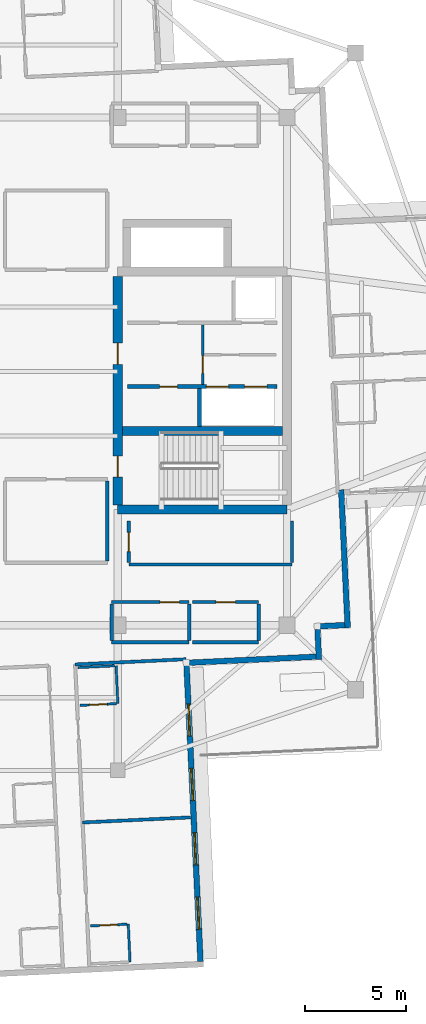
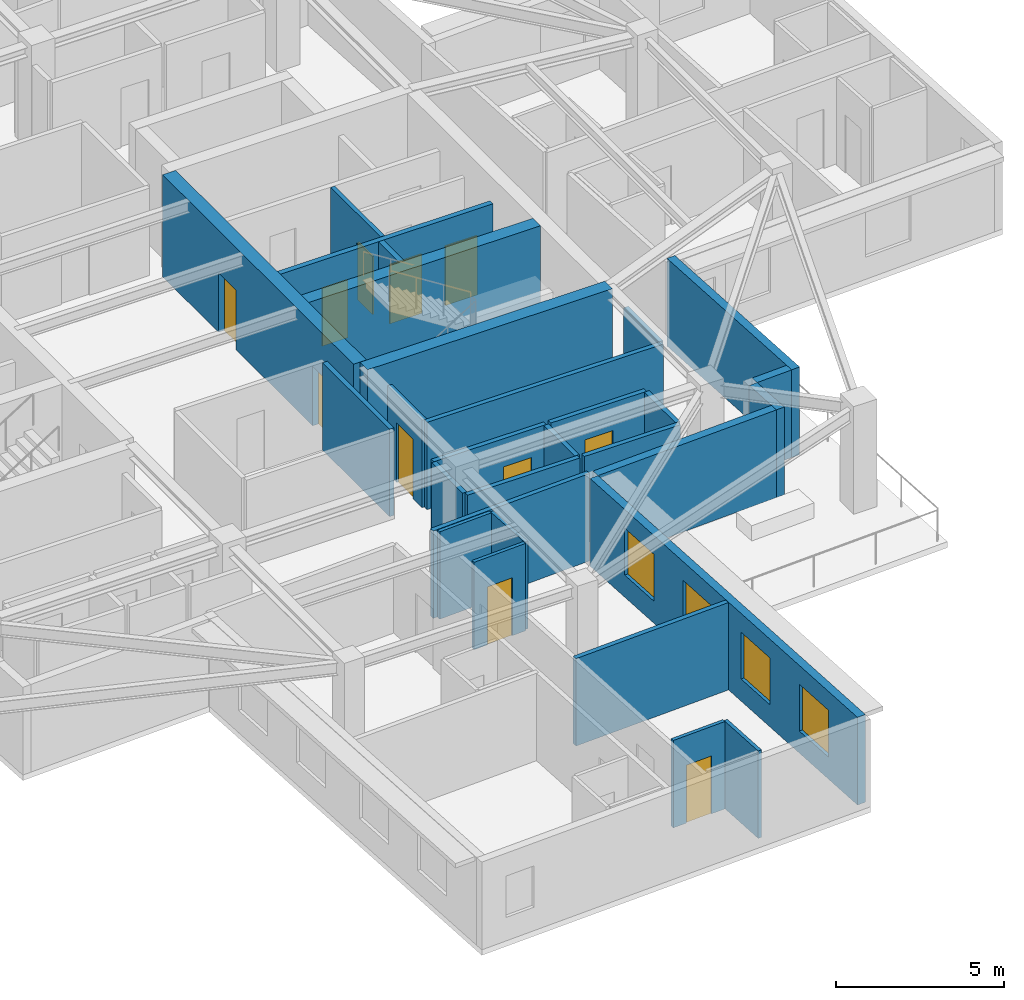
# One storey, part 5 of 13: 29 walls, 11 doors, 4 windows, 15 openings.
"""IFC4 building model written with IfcOpenShell, lengths in metres."""

from ifc_helpers import new_model, si_unit, direction, frame, frame_2d, origin, place, context, subcontext, project, spatial, rectangle, extrude, material, layer, layer_set, type_object, element, fill, save


model = new_model("IFC4")

# Units and contexts
model_context = context("Model", 3, precision=1e-05, world=origin(), true_north=direction((0.0, 1.0)))
body_context = subcontext(model_context, "Body", "Model", "MODEL_VIEW")
ifc_project = project(units=[si_unit("LENGTHUNIT", "METRE"), si_unit("AREAUNIT", "SQUARE_METRE"), si_unit("VOLUMEUNIT", "CUBIC_METRE"), si_unit("PLANEANGLEUNIT", "RADIAN"), si_unit("MASSUNIT", "GRAM", prefix="KILO")], contexts=[model_context])

# Site, building, storey
site_placement = place(None, origin())
site = spatial("IfcSite", under=ifc_project, at=site_placement, CompositionType="ELEMENT")
building_placement = place(site_placement, origin())
building = spatial("IfcBuilding", under=site, at=building_placement, Name="Qingluan Cross Belvedere", CompositionType="ELEMENT")
storey_placement = place(building_placement, frame((0.0, 0.0, 277.199951171875)))
storey = spatial("IfcBuildingStorey", under=building, at=storey_placement, Name="L69", CompositionType="ELEMENT", Elevation=277.199951171875)

# Wall
ifc_material_1 = material(Name="Concrete C50", Category="concrete")
ifc_layer_1 = layer(ifc_material_1, 0.449951171875, Name="CoreShearWall_450")
ifc_layer_set_1 = layer_set([ifc_layer_1], Name="Concrete C50")
wall_type_1 = type_object("IfcWallType", Name="CoreShearWall_450", PredefinedType="SHEAR", material=ifc_layer_set_1)
wall_1_placement = place(storey_placement, frame((4.0, -6.85009765625, 0.0), z_axis=(0.0, 0.0, 1.0), x_axis=(1.0, 0.0, 0.0)))
element("IfcWall", 1, at=wall_1_placement, inside=storey, type_object=wall_type_1, Name="Split core E shear wall L69-S", PredefinedType="SHEAR", context=body_context, shape_type="SweptSolid", body=[
    extrude(rectangle(XDim=8.39990234375, YDim=0.449951171875, at=frame_2d((4.199951171875, 0.0))), origin(), (0.0, 0.0, 1.0), 3.699951171875),
])

# Wall, openings, doors
wall_2_placement = place(storey_placement, frame((4.0, -6.6201171875, 0.0), z_axis=(0.0, 0.0, 1.0), x_axis=(0.0, 1.0, 0.0)))
wall_2 = element("IfcWall", 2, at=wall_2_placement, inside=storey, type_object=wall_type_1, Name="Split core E shear wall L69-W", PredefinedType="SHEAR", context=body_context, shape_type="SweptSolid", body=[
    extrude(rectangle(XDim=11.340087890625, YDim=0.449951171875, at=frame_2d((5.669921875, 0.0))), origin(), (0.0, 0.0, 1.0), 3.699951171875),
])
opening_1_placement = place(wall_2_placement, frame((1.3701171875, 0.0, 0.0)))
opening_1 = element("IfcOpeningElement", 3, at=opening_1_placement, cuts=wall_2, Name="Opening FD-B11", PredefinedType="OPENING", context=body_context, shape_type="SweptSolid", body=[
    extrude(rectangle(XDim=1.050048828125, YDim=2.14990234375, at=frame_2d((0.52490234375, 1.074951171875))), frame((0.0, 0.23486328125, 0.0), z_axis=(0.0, -1.0, 0.0), x_axis=(1.0, 0.0, 0.0)), (0.0, 0.0, 1.0), 0.469970703125),
])
opening_2_placement = place(wall_2_placement, frame((6.969970703125, 0.0, 0.0)))
opening_2 = element("IfcOpeningElement", 4, at=opening_2_placement, cuts=wall_2, Name="Opening FD-B11", PredefinedType="OPENING", context=body_context, shape_type="SweptSolid", body=[
    extrude(rectangle(XDim=1.050048828125, YDim=2.14990234375, at=frame_2d((0.52490234375, 1.074951171875))), frame((0.0, 0.23486328125, 0.0), z_axis=(0.0, -1.0, 0.0), x_axis=(1.0, 0.0, 0.0)), (0.0, 0.0, 1.0), 0.469970703125),
])
ifc_material_2 = material(Name="Steel Class B smoke-seal fire door", Category="steel")
door_type_1 = type_object("IfcDoorType", Name="StairLobbyFireDoor_FDB", OperationType="NOTDEFINED", PredefinedType="DOOR", material=ifc_material_2)
door_1_placement = place(opening_1_placement, origin())
door_1 = element("IfcDoor", 5, at=door_1_placement, inside=storey, type_object=door_type_1, Name="Smoke-proof stair ST2 fire door L69", OperationType="SINGLE_SWING_RIGHT", OverallHeight=2.14990234375, OverallWidth=1.050048828125, PredefinedType="DOOR", context=body_context, shape_type="SweptSolid", body=[
    extrude(rectangle(XDim=1.050048828125, YDim=2.14990234375, at=frame_2d((0.52490234375, 1.074951171875))), frame((0.0, 0.02490234375, 0.0), z_axis=(0.0, -1.0, 0.0), x_axis=(1.0, 0.0, 0.0)), (0.0, 0.0, 1.0), 0.050048828125),
])
fill(opening_1, door_1)
door_2_placement = place(opening_2_placement, origin())
door_2 = element("IfcDoor", 6, at=door_2_placement, inside=storey, type_object=door_type_1, Name="Firefighting lobby East fire door L69", OperationType="SINGLE_SWING_RIGHT", OverallHeight=2.14990234375, OverallWidth=1.050048828125, PredefinedType="DOOR", context=body_context, shape_type="SweptSolid", body=[
    extrude(rectangle(XDim=1.050048828125, YDim=2.14990234375, at=frame_2d((0.52490234375, 1.074951171875))), frame((0.0, 0.02490234375, 0.0), z_axis=(0.0, -1.0, 0.0), x_axis=(1.0, 0.0, 0.0)), (0.0, 0.0, 1.0), 0.050048828125),
])
fill(opening_2, door_2)

# Walls
wall_3_placement = place(storey_placement, frame((4.22998046875, -2.9599609375, 0.0), z_axis=(0.0, 0.0, 1.0), x_axis=(1.0, 0.0, 0.0)))
element("IfcWall", 7, at=wall_3_placement, inside=storey, type_object=wall_type_1, Name="Split core E shear wall L69-M", PredefinedType="SHEAR", context=body_context, shape_type="SweptSolid", body=[
    extrude(rectangle(XDim=7.93994140625, YDim=0.449951171875, at=frame_2d((3.969970703125, 0.0))), origin(), (0.0, 0.0, 1.0), 3.699951171875),
])
ifc_material_3 = material(Name="Gypsum plasterboard on steel stud acoustic partition", Category="steel")
ifc_layer_2 = layer(ifc_material_3, 0.159912109375, Name="CorridorPartition_160")
ifc_layer_set_2 = layer_set([ifc_layer_2], Name="Gypsum plasterboard on steel stud acoustic partition")
wall_type_2 = type_object("IfcWallType", Name="CorridorPartition_160", PredefinedType="PARTITIONING", material=ifc_layer_set_2)
wall_4_placement = place(storey_placement, frame((3.699951171875, -13.449951171875, 0.0), z_axis=(0.0, 0.0, 1.0), x_axis=(1.0, 0.0, 0.0)))
element("IfcWall", 8, at=wall_4_placement, inside=storey, type_object=wall_type_2, Name="Partition L69:q_se1:S", PredefinedType="PARTITIONING", context=body_context, shape_type="SweptSolid", body=[
    extrude(rectangle(XDim=3.85009765625, YDim=0.159912109375, at=frame_2d((1.925048828125, 0.0))), origin(), (0.0, 0.0, 1.0), 3.170166015625),
])

# Wall, opening, door
wall_5_placement = place(storey_placement, frame((3.699951171875, -11.449951171875, 0.0), z_axis=(0.0, 0.0, 1.0), x_axis=(1.0, 0.0, 0.0)))
wall_5 = element("IfcWall", 9, at=wall_5_placement, inside=storey, type_object=wall_type_2, Name="Partition L69:q_se1:N", PredefinedType="PARTITIONING", context=body_context, shape_type="SweptSolid", body=[
    extrude(rectangle(XDim=3.85009765625, YDim=0.159912109375, at=frame_2d((1.925048828125, 0.0))), origin(), (0.0, 0.0, 1.0), 3.170166015625),
])
opening_3_placement = place(wall_5_placement, frame((2.39501953125, 0.0, 0.0)))
opening_3 = element("IfcOpeningElement", 10, at=opening_3_placement, cuts=wall_5, Name="Opening GD-10", PredefinedType="OPENING", context=body_context, shape_type="SweptSolid", body=[
    extrude(rectangle(XDim=0.9599609375, YDim=2.14990234375, at=frame_2d((0.47998046875, 1.074951171875))), frame((0.0, 0.08984375, 0.0), z_axis=(0.0, -1.0, 0.0), x_axis=(1.0, 0.0, 0.0)), (0.0, 0.0, 1.0), 0.179931640625),
])
ifc_material_4 = material(Name="Timber oak fire-rated acoustic guestroom door", Category="wood")
door_type_2 = type_object("IfcDoorType", Name="GuestEntryDoor_FD60", OperationType="NOTDEFINED", PredefinedType="DOOR", material=ifc_material_4)
door_3_placement = place(opening_3_placement, origin())
door_3 = element("IfcDoor", 11, at=door_3_placement, inside=storey, type_object=door_type_2, Name="Private meeting salon L69 door", OperationType="SINGLE_SWING_RIGHT", OverallHeight=2.14990234375, OverallWidth=0.9599609375, PredefinedType="DOOR", context=body_context, shape_type="SweptSolid", body=[
    extrude(rectangle(XDim=0.9599609375, YDim=2.14990234375, at=frame_2d((0.47998046875, 1.074951171875))), frame((0.0, 0.02490234375, 0.0), z_axis=(0.0, -1.0, 0.0), x_axis=(1.0, 0.0, 0.0)), (0.0, 0.0, 1.0), 0.050048828125),
])
fill(opening_3, door_3)

# Walls
for number, where, z_axis, x_axis, name in (
    (12, (3.699951171875, -13.364990234375, 0.0), (0.0, 0.0, 1.0), (0.0, 1.0, 0.0), "Partition L69:q_se1:W"),
    (13, (7.550048828125, -13.364990234375, 0.0), (0.0, 0.0, 1.0), (0.0, 1.0, 0.0), "Partition L69:q_se1:E"),
):
    element("IfcWall", number, at=place(storey_placement, frame(where, z_axis=z_axis, x_axis=x_axis)), inside=storey, type_object=wall_type_2, Name=name, PredefinedType="PARTITIONING", context=body_context, shape_type="SweptSolid", body=[
        extrude(rectangle(XDim=1.830078125, YDim=0.159912109375, at=frame_2d((0.9150390625, 0.0))), origin(), (0.0, 0.0, 1.0), 3.170166015625),
    ])
wall_6_placement = place(storey_placement, frame((7.7099609375, -13.449951171875, 0.0), z_axis=(0.0, 0.0, 1.0), x_axis=(1.0, 0.0, 0.0)))
element("IfcWall", 14, at=wall_6_placement, inside=storey, type_object=wall_type_2, Name="Partition L69:q_se2:S", PredefinedType="PARTITIONING", context=body_context, shape_type="SweptSolid", body=[
    extrude(rectangle(XDim=3.2900390625, YDim=0.159912109375, at=frame_2d((1.64501953125, 0.0))), origin(), (0.0, 0.0, 1.0), 3.170166015625),
])

# Wall, opening, door
wall_7_placement = place(storey_placement, frame((7.7099609375, -11.449951171875, 0.0), z_axis=(0.0, 0.0, 1.0), x_axis=(1.0, 0.0, 0.0)))
wall_7 = element("IfcWall", 15, at=wall_7_placement, inside=storey, type_object=wall_type_2, Name="Partition L69:q_se2:N", PredefinedType="PARTITIONING", context=body_context, shape_type="SweptSolid", body=[
    extrude(rectangle(XDim=3.2900390625, YDim=0.159912109375, at=frame_2d((1.64501953125, 0.0))), origin(), (0.0, 0.0, 1.0), 3.170166015625),
])
opening_4_placement = place(wall_7_placement, frame((1.1650390625, 0.0, 0.0)))
opening_4 = element("IfcOpeningElement", 16, at=opening_4_placement, cuts=wall_7, Name="Opening GD-10", PredefinedType="OPENING", context=body_context, shape_type="SweptSolid", body=[
    extrude(rectangle(XDim=0.9599609375, YDim=2.14990234375, at=frame_2d((0.47998046875, 1.074951171875))), frame((0.0, 0.08984375, 0.0), z_axis=(0.0, -1.0, 0.0), x_axis=(1.0, 0.0, 0.0)), (0.0, 0.0, 1.0), 0.179931640625),
])
door_4_placement = place(opening_4_placement, origin())
door_4 = element("IfcDoor", 17, at=door_4_placement, inside=storey, type_object=door_type_2, Name="Southeast study room L69 door", OperationType="SINGLE_SWING_LEFT", OverallHeight=2.14990234375, OverallWidth=0.9599609375, PredefinedType="DOOR", context=body_context, shape_type="SweptSolid", body=[
    extrude(rectangle(XDim=0.9599609375, YDim=2.14990234375, at=frame_2d((0.47998046875, 1.074951171875))), frame((0.0, 0.02490234375, 0.0), z_axis=(0.0, -1.0, 0.0), x_axis=(1.0, 0.0, 0.0)), (0.0, 0.0, 1.0), 0.050048828125),
])
fill(opening_4, door_4)

# Walls
wall_8_placement = place(storey_placement, frame((11.0, -13.364990234375, 0.0), z_axis=(0.0, 0.0, 1.0), x_axis=(0.0, 1.0, 0.0)))
element("IfcWall", 18, at=wall_8_placement, inside=storey, type_object=wall_type_2, Name="Partition L69:q_se2:E", PredefinedType="PARTITIONING", context=body_context, shape_type="SweptSolid", body=[
    extrude(rectangle(XDim=1.830078125, YDim=0.159912109375, at=frame_2d((0.9150390625, 0.0))), origin(), (0.0, 0.0, 1.0), 3.170166015625),
])
wall_9_placement = place(storey_placement, frame((3.47998046875, -9.4150390625, 0.0), z_axis=(0.0, 0.0, 1.0), x_axis=(0.0, 1.0, 0.0)))
element("IfcWall", 19, at=wall_9_placement, inside=storey, type_object=wall_type_2, Name="Partition L69:sky_south_alcove:E", PredefinedType="PARTITIONING", context=body_context, shape_type="SweptSolid", body=[
    extrude(rectangle(XDim=3.97998046875, YDim=0.159912109375, at=frame_2d((1.989990234375, 0.0))), origin(), (0.0, 0.0, 1.0), 3.170166015625),
])
wall_10_placement = place(storey_placement, frame((4.550048828125, -9.580078125, 0.0), z_axis=(0.0, 0.0, 1.0), x_axis=(1.0, 0.0, 0.0)))
element("IfcWall", 20, at=wall_10_placement, inside=storey, type_object=wall_type_2, Name="Partition L69:rec_st4:S", PredefinedType="PARTITIONING", context=body_context, shape_type="SweptSolid", body=[
    extrude(rectangle(XDim=8.099853515625, YDim=0.159912109375, at=frame_2d((4.0498046875, 0.0))), origin(), (0.0, 0.0, 1.0), 3.170166015625),
])

# Wall, opening, door
wall_11_placement = place(storey_placement, frame((4.550048828125, -9.4951171875, 0.0), z_axis=(0.0, 0.0, 1.0), x_axis=(0.0, 1.0, 0.0)))
wall_11 = element("IfcWall", 21, at=wall_11_placement, inside=storey, type_object=wall_type_2, Name="Partition L69:rec_st4:W", PredefinedType="PARTITIONING", context=body_context, shape_type="SweptSolid", body=[
    extrude(rectangle(XDim=2.06005859375, YDim=0.159912109375, at=frame_2d((1.030029296875, 0.0))), origin(), (0.0, 0.0, 1.0), 3.170166015625),
])
opening_5_placement = place(wall_11_placement, frame((0.550048828125, 0.0, 0.0)))
opening_5 = element("IfcOpeningElement", 22, at=opening_5_placement, cuts=wall_11, Name="Opening GD-10", PredefinedType="OPENING", context=body_context, shape_type="SweptSolid", body=[
    extrude(rectangle(XDim=0.9599609375, YDim=2.14990234375, at=frame_2d((0.47998046875, 1.074951171875))), frame((0.0, 0.08984375, 0.0), z_axis=(0.0, -1.0, 0.0), x_axis=(1.0, 0.0, 0.0)), (0.0, 0.0, 1.0), 0.179931640625),
])
door_5_placement = place(opening_5_placement, origin())
door_5 = element("IfcDoor", 23, at=door_5_placement, inside=storey, type_object=door_type_2, Name="Southeast club library room L69 door", OperationType="SINGLE_SWING_LEFT", OverallHeight=2.14990234375, OverallWidth=0.9599609375, PredefinedType="DOOR", context=body_context, shape_type="SweptSolid", body=[
    extrude(rectangle(XDim=0.9599609375, YDim=2.14990234375, at=frame_2d((0.47998046875, 1.074951171875))), frame((0.0, 0.02490234375, 0.0), z_axis=(0.0, -1.0, 0.0), x_axis=(1.0, 0.0, 0.0)), (0.0, 0.0, 1.0), 0.050048828125),
])
fill(opening_5, door_5)

# Walls
wall_12_placement = place(storey_placement, frame((12.64990234375, -9.4951171875, 0.0), z_axis=(0.0, 0.0, 1.0), x_axis=(0.0, 1.0, 0.0)))
element("IfcWall", 24, at=wall_12_placement, inside=storey, type_object=wall_type_2, Name="Partition L69:rec_st4:E", PredefinedType="PARTITIONING", context=body_context, shape_type="SweptSolid", body=[
    extrude(rectangle(XDim=2.06005859375, YDim=0.159912109375, at=frame_2d((1.030029296875, 0.0))), origin(), (0.0, 0.0, 1.0), 3.170166015625),
])
wall_13_placement = place(storey_placement, frame((1.887451171875, -14.547119140625, 0.0), z_axis=(0.0, 0.0, 1.0), x_axis=(0.998889946563, 0.04710493239, 0.0)))
element("IfcWall", 25, at=wall_13_placement, inside=storey, type_object=wall_type_2, Name="Partition L69:S:s0", PredefinedType="PARTITIONING", context=body_context, shape_type="SweptSolid", body=[
    extrude(rectangle(XDim=5.519775390625, YDim=0.159912109375, at=frame_2d((2.759765625, 0.0))), origin(), (0.0, 0.0, 1.0), 3.170166015625),
])
wall_14_placement = place(storey_placement, frame((2.25732421875, -22.3916015625, 0.0), z_axis=(0.0, 0.0, 1.0), x_axis=(0.998888812581, 0.047128973049, 0.0)))
element("IfcWall", 26, at=wall_14_placement, inside=storey, type_object=wall_type_2, Name="Partition L69:S:d0_0", PredefinedType="PARTITIONING", context=body_context, shape_type="SweptSolid", body=[
    extrude(rectangle(XDim=5.371826171875, YDim=0.159912109375, at=frame_2d((2.68603515625, 0.0))), origin(), (0.0, 0.0, 1.0), 3.170166015625),
])

# Wall, opening, door
ifc_material_5 = material(Name="Moisture-resistant gypsum board lining")
ifc_layer_3 = layer(ifc_material_5, 0.1201171875, Name="EnsuiteWetPartition_120")
ifc_layer_set_3 = layer_set([ifc_layer_3], Name="Moisture-resistant gypsum board lining")
wall_type_3 = type_object("IfcWallType", Name="EnsuiteWetPartition_120", PredefinedType="PARTITIONING", material=ifc_layer_set_3)
wall_15_placement = place(storey_placement, frame((2.123291015625, -16.578369140625, 0.0), z_axis=(0.0, 0.0, 1.0), x_axis=(0.998891083954, 0.047080807099, 0.0)))
wall_15 = element("IfcWall", 27, at=wall_15_placement, inside=storey, type_object=wall_type_3, Name="Partition L69:S:bs0_0", PredefinedType="PARTITIONING", context=body_context, shape_type="SweptSolid", body=[
    extrude(rectangle(XDim=1.820068359375, YDim=0.1201171875, at=frame_2d((0.91015625, 0.0))), origin(), (0.0, 0.0, 1.0), 3.170166015625),
])
opening_6_placement = place(wall_15_placement, frame((0.469970703125, 0.0, 0.0)))
opening_6 = element("IfcOpeningElement", 28, at=opening_6_placement, cuts=wall_15, Name="Opening BD-09", PredefinedType="OPENING", context=body_context, shape_type="SweptSolid", body=[
    extrude(rectangle(XDim=0.8798828125, YDim=2.10009765625, at=frame_2d((0.43994140625, 1.050048828125))), frame((0.0, 0.070068359375, 0.0), z_axis=(0.0, -1.0, 0.0), x_axis=(1.0, 0.0, 0.0)), (0.0, 0.0, 1.0), 0.14013671875),
])
ifc_material_6 = material(Name="Moisture-sealed timber en-suite door", Category="wood")
door_type_3 = type_object("IfcDoorType", Name="BathroomDoor_880", OperationType="NOTDEFINED", PredefinedType="DOOR", material=ifc_material_6)
door_6_placement = place(opening_6_placement, origin())
door_6 = element("IfcDoor", 29, at=door_6_placement, inside=storey, type_object=door_type_3, Name="Bathroom door 6915", OperationType="SINGLE_SWING_RIGHT", OverallHeight=2.10009765625, OverallWidth=0.8798828125, PredefinedType="DOOR", context=body_context, shape_type="SweptSolid", body=[
    extrude(rectangle(XDim=0.8798828125, YDim=2.10009765625, at=frame_2d((0.43994140625, 1.050048828125))), frame((0.0, 0.02490234375, 0.0), z_axis=(0.0, -1.0, 0.0), x_axis=(1.0, 0.0, 0.0)), (0.0, 0.0, 1.0), 0.050048828125),
])
fill(opening_6, door_6)

# Walls
wall_16_placement = place(storey_placement, frame((2.03466796875, -14.700439453125, 0.0), z_axis=(0.0, 0.0, 1.0), x_axis=(0.998891083954, 0.047080807099, 0.0)))
element("IfcWall", 30, at=wall_16_placement, inside=storey, type_object=wall_type_3, Name="Partition L69:S:bw0_0", PredefinedType="PARTITIONING", context=body_context, shape_type="SweptSolid", body=[
    extrude(rectangle(XDim=1.820068359375, YDim=0.1201171875, at=frame_2d((0.91015625, 0.0))), origin(), (0.0, 0.0, 1.0), 3.170166015625),
])
wall_17_placement = place(storey_placement, frame((3.917724609375, -14.61181640625, 0.0), z_axis=(0.0, 0.0, 1.0), x_axis=(0.04701595088, -0.998894138717, 0.0)))
element("IfcWall", 31, at=wall_17_placement, inside=storey, type_object=wall_type_3, Name="Partition L69:S:bn0_0", PredefinedType="PARTITIONING", context=body_context, shape_type="SweptSolid", body=[
    extrude(rectangle(XDim=1.8798828125, YDim=0.1201171875, at=frame_2d((0.93994140625, 0.0))), origin(), (0.0, 0.0, 1.0), 3.170166015625),
])

# Wall, opening, door
wall_18_placement = place(storey_placement, frame((2.6396484375, -27.526123046875, 0.0), z_axis=(0.0, 0.0, 1.0), x_axis=(0.998890786574, 0.047087116047, 0.0)))
wall_18 = element("IfcWall", 32, at=wall_18_placement, inside=storey, type_object=wall_type_3, Name="Partition L69:S:bs0_1", PredefinedType="PARTITIONING", context=body_context, shape_type="SweptSolid", body=[
    extrude(rectangle(XDim=1.81982421875, YDim=0.1201171875, at=frame_2d((0.909912109375, 0.0))), origin(), (0.0, 0.0, 1.0), 3.170166015625),
])
opening_7_placement = place(wall_18_placement, frame((0.469970703125, 0.0, 0.0)))
opening_7 = element("IfcOpeningElement", 33, at=opening_7_placement, cuts=wall_18, Name="Opening BD-09", PredefinedType="OPENING", context=body_context, shape_type="SweptSolid", body=[
    extrude(rectangle(XDim=0.8798828125, YDim=2.10009765625, at=frame_2d((0.43994140625, 1.050048828125))), frame((0.0, 0.070068359375, 0.0), z_axis=(0.0, -1.0, 0.0), x_axis=(1.0, 0.0, 0.0)), (0.0, 0.0, 1.0), 0.14013671875),
])
door_7_placement = place(opening_7_placement, origin())
door_7 = element("IfcDoor", 34, at=door_7_placement, inside=storey, type_object=door_type_3, Name="Bathroom door 6916", OperationType="SINGLE_SWING_RIGHT", OverallHeight=2.10009765625, OverallWidth=0.8798828125, PredefinedType="DOOR", context=body_context, shape_type="SweptSolid", body=[
    extrude(rectangle(XDim=0.8798828125, YDim=2.10009765625, at=frame_2d((0.43994140625, 1.050048828125))), frame((0.0, 0.02490234375, 0.0), z_axis=(0.0, -1.0, 0.0), x_axis=(1.0, 0.0, 0.0)), (0.0, 0.0, 1.0), 0.050048828125),
])
fill(opening_7, door_7)

# Wall
wall_19_placement = place(storey_placement, frame((4.5224609375, -27.4375, 0.0), z_axis=(0.0, 0.0, 1.0), x_axis=(0.047145540913, -0.998888030748, 0.0)))
element("IfcWall", 35, at=wall_19_placement, inside=storey, type_object=wall_type_3, Name="Partition L69:S:bn0_1", PredefinedType="PARTITIONING", context=body_context, shape_type="SweptSolid", body=[
    extrude(rectangle(XDim=1.8798828125, YDim=0.1201171875, at=frame_2d((0.93994140625, 0.0))), origin(), (0.0, 0.0, 1.0), 3.170166015625),
])

# Wall, openings, windows
ifc_material_7 = material(Name="Precast concrete C45", Category="concrete")
ifc_layer_4 = layer(ifc_material_7, 0.280029296875, Name="PrecastFacadeWall_280")
ifc_layer_set_4 = layer_set([ifc_layer_4], Name="Precast concrete C45")
wall_type_4 = type_object("IfcWallType", Name="PrecastFacadeWall_280", PredefinedType="STANDARD", material=ifc_layer_set_4)
wall_20_placement = place(storey_placement, frame((8.10888671875, -29.29052734375, 0.0), z_axis=(0.0, 0.0, 1.0), x_axis=(-0.047117735191, 0.998889342735, 0.0)))
wall_20 = element("IfcWall", 36, at=wall_20_placement, inside=storey, type_object=wall_type_4, Name="Facade wall L69-SB", PredefinedType="STANDARD", context=body_context, shape_type="SweptSolid", body=[
    extrude(rectangle(XDim=14.699951171875, YDim=0.280029296875, at=frame_2d((7.35009765625, 0.0))), origin(), (0.0, 0.0, 1.0), 3.179931640625),
])
opening_8_placement = place(wall_20_placement, frame((1.60009765625, 0.0, 0.800048828125)))
opening_8 = element("IfcOpeningElement", 37, at=opening_8_placement, cuts=wall_20, Name="Opening W-04", PredefinedType="OPENING", context=body_context, shape_type="SweptSolid", body=[
    extrude(rectangle(XDim=1.60009765625, YDim=1.699951171875, at=frame_2d((0.800048828125, 0.85009765625))), frame((0.0, 0.14990234375, 0.0), z_axis=(0.0, -1.0, 0.0), x_axis=(1.0, 0.0, 0.0)), (0.0, 0.0, 1.0), 0.300048828125),
])
opening_9_placement = place(wall_20_placement, frame((4.800048828125, 0.0, 0.800048828125)))
opening_9 = element("IfcOpeningElement", 38, at=opening_9_placement, cuts=wall_20, Name="Opening W-04", PredefinedType="OPENING", context=body_context, shape_type="SweptSolid", body=[
    extrude(rectangle(XDim=1.60009765625, YDim=1.699951171875, at=frame_2d((0.800048828125, 0.85009765625))), frame((0.0, 0.14990234375, 0.0), z_axis=(0.0, -1.0, 0.0), x_axis=(1.0, 0.0, 0.0)), (0.0, 0.0, 1.0), 0.300048828125),
])
opening_10_placement = place(wall_20_placement, frame((8.0, 0.0, 0.800048828125)))
opening_10 = element("IfcOpeningElement", 39, at=opening_10_placement, cuts=wall_20, Name="Opening W-04", PredefinedType="OPENING", context=body_context, shape_type="SweptSolid", body=[
    extrude(rectangle(XDim=1.60009765625, YDim=1.699951171875, at=frame_2d((0.800048828125, 0.85009765625))), frame((0.0, 0.14990234375, 0.0), z_axis=(0.0, -1.0, 0.0), x_axis=(1.0, 0.0, 0.0)), (0.0, 0.0, 1.0), 0.300048828125),
])
opening_11_placement = place(wall_20_placement, frame((11.199951171875, 0.0, 0.800048828125)))
opening_11 = element("IfcOpeningElement", 40, at=opening_11_placement, cuts=wall_20, Name="Opening W-04", PredefinedType="OPENING", context=body_context, shape_type="SweptSolid", body=[
    extrude(rectangle(XDim=1.60009765625, YDim=1.699951171875, at=frame_2d((0.800048828125, 0.85009765625))), frame((0.0, 0.14990234375, 0.0), z_axis=(0.0, -1.0, 0.0), x_axis=(1.0, 0.0, 0.0)), (0.0, 0.0, 1.0), 0.300048828125),
])
ifc_material_8 = material(Name="Thermally broken triple Low-E glass in aluminium frame", Category="aluminium")
window_type = type_object("IfcWindowType", Name="SuiteCornerWin_1600x1700", PartitioningType="SINGLE_PANEL", PredefinedType="WINDOW", material=ifc_material_8)
window_1_placement = place(opening_8_placement, origin())
window_1 = element("IfcWindow", 41, at=window_1_placement, inside=storey, type_object=window_type, Name="Ribbon window L69-SB-1", OverallHeight=1.699951171875, OverallWidth=1.60009765625, PartitioningType="SINGLE_PANEL", PredefinedType="WINDOW", context=body_context, shape_type="SweptSolid", body=[
    extrude(rectangle(XDim=1.60009765625, YDim=1.699951171875, at=frame_2d((0.800048828125, 0.85009765625))), frame((0.0, 0.030029296875, 0.0), z_axis=(0.0, -1.0, 0.0), x_axis=(1.0, 0.0, 0.0)), (0.0, 0.0, 1.0), 0.06005859375),
])
fill(opening_8, window_1)
window_2_placement = place(opening_9_placement, origin())
window_2 = element("IfcWindow", 42, at=window_2_placement, inside=storey, type_object=window_type, Name="Ribbon window L69-SB-2", OverallHeight=1.699951171875, OverallWidth=1.60009765625, PartitioningType="SINGLE_PANEL", PredefinedType="WINDOW", context=body_context, shape_type="SweptSolid", body=[
    extrude(rectangle(XDim=1.60009765625, YDim=1.699951171875, at=frame_2d((0.800048828125, 0.85009765625))), frame((0.0, 0.030029296875, 0.0), z_axis=(0.0, -1.0, 0.0), x_axis=(1.0, 0.0, 0.0)), (0.0, 0.0, 1.0), 0.06005859375),
])
fill(opening_9, window_2)
window_3_placement = place(opening_10_placement, origin())
window_3 = element("IfcWindow", 43, at=window_3_placement, inside=storey, type_object=window_type, Name="Ribbon window L69-SB-3", OverallHeight=1.699951171875, OverallWidth=1.60009765625, PartitioningType="SINGLE_PANEL", PredefinedType="WINDOW", context=body_context, shape_type="SweptSolid", body=[
    extrude(rectangle(XDim=1.60009765625, YDim=1.699951171875, at=frame_2d((0.800048828125, 0.85009765625))), frame((0.0, 0.030029296875, 0.0), z_axis=(0.0, -1.0, 0.0), x_axis=(1.0, 0.0, 0.0)), (0.0, 0.0, 1.0), 0.06005859375),
])
fill(opening_10, window_3)
window_4_placement = place(opening_11_placement, origin())
window_4 = element("IfcWindow", 44, at=window_4_placement, inside=storey, type_object=window_type, Name="Ribbon window L69-SB-4", OverallHeight=1.699951171875, OverallWidth=1.60009765625, PartitioningType="SINGLE_PANEL", PredefinedType="WINDOW", context=body_context, shape_type="SweptSolid", body=[
    extrude(rectangle(XDim=1.60009765625, YDim=1.699951171875, at=frame_2d((0.800048828125, 0.85009765625))), frame((0.0, 0.030029296875, 0.0), z_axis=(0.0, -1.0, 0.0), x_axis=(1.0, 0.0, 0.0)), (0.0, 0.0, 1.0), 0.06005859375),
])
fill(opening_11, window_4)

# Walls
wall_21_placement = place(storey_placement, frame((15.093505859375, -5.87548828125, 0.0), z_axis=(0.0, 0.0, 1.0), x_axis=(0.04712043756, -0.998889215261, 0.0)))
element("IfcWall", 45, at=wall_21_placement, inside=storey, type_object=wall_type_4, Name="Corner wall L69-SE1", PredefinedType="STANDARD", context=body_context, shape_type="SweptSolid", body=[
    extrude(rectangle(XDim=6.85986328125, YDim=0.280029296875, at=frame_2d((3.429931640625, 0.0))), origin(), (0.0, 0.0, 1.0), 3.179931640625),
])
wall_22_placement = place(storey_placement, frame((15.270263671875, -12.5947265625, 0.0), z_axis=(0.0, 0.0, 1.0), x_axis=(-0.998893795343, -0.047023245574, 0.0)))
element("IfcWall", 46, at=wall_22_placement, inside=storey, type_object=wall_type_4, Name="Corner wall L69-SE2", PredefinedType="STANDARD", context=body_context, shape_type="SweptSolid", body=[
    extrude(rectangle(XDim=1.22021484375, YDim=0.280029296875, at=frame_2d((0.610107421875, 0.0))), origin(), (0.0, 0.0, 1.0), 3.179931640625),
])
wall_23_placement = place(storey_placement, frame((13.918212890625, -12.798583984375, 0.0), z_axis=(0.0, 0.0, 1.0), x_axis=(0.047201688113, -0.99888537913, 0.0)))
element("IfcWall", 47, at=wall_23_placement, inside=storey, type_object=wall_type_4, Name="Corner wall L69-SE3", PredefinedType="STANDARD", context=body_context, shape_type="SweptSolid", body=[
    extrude(rectangle(XDim=1.5, YDim=0.280029296875, at=frame_2d((0.75, 0.0))), origin(), (0.0, 0.0, 1.0), 3.179931640625),
])
wall_24_placement = place(storey_placement, frame((13.842529296875, -14.16357421875, 0.0), z_axis=(0.0, 0.0, 1.0), x_axis=(-0.998889082162, -0.047123258997, 0.0)))
element("IfcWall", 48, at=wall_24_placement, inside=storey, type_object=wall_type_4, Name="Corner wall L69-SE4", PredefinedType="STANDARD", context=body_context, shape_type="SweptSolid", body=[
    extrude(rectangle(XDim=6.300048828125, YDim=0.280029296875, at=frame_2d((3.14990234375, 0.0))), origin(), (0.0, 0.0, 1.0), 3.179931640625),
])

# Wall, openings, doors
ifc_material_9 = material(Name="Concrete C40", Category="concrete")
ifc_layer_5 = layer(ifc_material_9, 0.219970703125, Name="ShaftEnclosureWall_250")
ifc_layer_set_5 = layer_set([ifc_layer_5], Name="Concrete C40")
wall_type_5 = type_object("IfcWallType", Name="ShaftEnclosureWall_250", PredefinedType="SOLIDWALL", material=ifc_layer_set_5)
wall_25_placement = place(storey_placement, frame((4.47998046875, -0.75, 0.0), z_axis=(0.0, 0.0, 1.0), x_axis=(1.0, 0.0, 0.0)))
wall_25 = element("IfcWall", 49, at=wall_25_placement, inside=storey, type_object=wall_type_5, Name="Core-E mid hoistway wall L69", PredefinedType="SOLIDWALL", context=body_context, shape_type="SweptSolid", body=[
    extrude(rectangle(XDim=7.419921875, YDim=0.179931640625, at=frame_2d((3.7099609375, 0.0))), origin(), (0.0, 0.0, 1.0), 3.170166015625),
])
opening_12_placement = place(wall_25_placement, frame((3.919921875, 0.0, 0.0)))
opening_12 = element("IfcOpeningElement", 50, at=opening_12_placement, cuts=wall_25, Name="Opening LD-11", PredefinedType="OPENING", context=body_context, shape_type="SweptSolid", body=[
    extrude(rectangle(XDim=1.10009765625, YDim=2.14990234375, at=frame_2d((0.550048828125, 1.074951171875))), frame((0.0, 0.099853515625, 0.0), z_axis=(0.0, -1.0, 0.0), x_axis=(1.0, 0.0, 0.0)), (0.0, 0.0, 1.0), 0.199951171875),
])
opening_13_placement = place(wall_25_placement, frame((5.820068359375, 0.0, 0.0)))
opening_13 = element("IfcOpeningElement", 51, at=opening_13_placement, cuts=wall_25, Name="Opening LD-11", PredefinedType="OPENING", context=body_context, shape_type="SweptSolid", body=[
    extrude(rectangle(XDim=1.10009765625, YDim=2.14990234375, at=frame_2d((0.550048828125, 1.074951171875))), frame((0.0, 0.099853515625, 0.0), z_axis=(0.0, -1.0, 0.0), x_axis=(1.0, 0.0, 0.0)), (0.0, 0.0, 1.0), 0.199951171875),
])
opening_14_placement = place(wall_25_placement, frame((1.60009765625, 0.0, 0.0)))
opening_14 = element("IfcOpeningElement", 52, at=opening_14_placement, cuts=wall_25, Name="Opening FD-B10", PredefinedType="OPENING", context=body_context, shape_type="SweptSolid", body=[
    extrude(rectangle(XDim=0.8798828125, YDim=2.10009765625, at=frame_2d((0.43994140625, 1.050048828125))), frame((0.0, 0.099853515625, 0.0), z_axis=(0.0, -1.0, 0.0), x_axis=(1.0, 0.0, 0.0)), (0.0, 0.0, 1.0), 0.199951171875),
])
ifc_material_10 = material(Name="Brushed stainless steel centre-opening lift landing door", Category="steel")
door_type_4 = type_object("IfcDoorType", Name="LiftLandingSlidingDoor_1100", OperationType="DOUBLE_DOOR_SLIDING", PredefinedType="DOOR", material=ifc_material_10)
door_8_placement = place(opening_12_placement, origin())
door_8 = element("IfcDoor", 53, at=door_8_placement, inside=storey, type_object=door_type_4, Name="Lift landing sliding door LP9 L69", OperationType="DOUBLE_DOOR_SLIDING", OverallHeight=2.14990234375, OverallWidth=1.10009765625, PredefinedType="DOOR", context=body_context, shape_type="SweptSolid", body=[
    extrude(rectangle(XDim=1.10009765625, YDim=2.14990234375, at=frame_2d((0.550048828125, 1.074951171875))), frame((0.0, 0.02490234375, 0.0), z_axis=(0.0, -1.0, 0.0), x_axis=(1.0, 0.0, 0.0)), (0.0, 0.0, 1.0), 0.050048828125),
])
fill(opening_12, door_8)
door_9_placement = place(opening_13_placement, origin())
door_9 = element("IfcDoor", 54, at=door_9_placement, inside=storey, type_object=door_type_4, Name="Lift landing sliding door LP10 L69", OperationType="DOUBLE_DOOR_SLIDING", OverallHeight=2.14990234375, OverallWidth=1.10009765625, PredefinedType="DOOR", context=body_context, shape_type="SweptSolid", body=[
    extrude(rectangle(XDim=1.10009765625, YDim=2.14990234375, at=frame_2d((0.550048828125, 1.074951171875))), frame((0.0, 0.02490234375, 0.0), z_axis=(0.0, -1.0, 0.0), x_axis=(1.0, 0.0, 0.0)), (0.0, 0.0, 1.0), 0.050048828125),
])
fill(opening_13, door_9)
ifc_material_11 = material(Name="Steel Class B service fire door", Category="steel")
door_type_5 = type_object("IfcDoorType", Name="RiserServiceFireDoor_FDB", OperationType="NOTDEFINED", PredefinedType="DOOR", material=ifc_material_11)
door_10_placement = place(opening_14_placement, origin())
door_10 = element("IfcDoor", 55, at=door_10_placement, inside=storey, type_object=door_type_5, Name="Upper-zone linen store door L69", OperationType="SINGLE_SWING_LEFT", OverallHeight=2.10009765625, OverallWidth=0.8798828125, PredefinedType="DOOR", context=body_context, shape_type="SweptSolid", body=[
    extrude(rectangle(XDim=0.8798828125, YDim=2.10009765625, at=frame_2d((0.43994140625, 1.050048828125))), frame((0.0, 0.02490234375, 0.0), z_axis=(0.0, -1.0, 0.0), x_axis=(1.0, 0.0, 0.0)), (0.0, 0.0, 1.0), 0.050048828125),
])
fill(opening_14, door_10)

# Wall
wall_26_placement = place(storey_placement, frame((8.06005859375, -2.72998046875, 0.0), z_axis=(0.0, 0.0, 1.0), x_axis=(0.0, 1.0, 0.0)))
element("IfcWall", 56, at=wall_26_placement, inside=storey, type_object=wall_type_5, Name="Hoistway enclosure divider LP9W L69", PredefinedType="SOLIDWALL", context=body_context, shape_type="SweptSolid", body=[
    extrude(rectangle(XDim=1.889892578125, YDim=0.179931640625, at=frame_2d((0.94482421875, 0.0))), origin(), (0.0, 0.0, 1.0), 3.170166015625),
])

# Wall, opening, door
wall_27_placement = place(storey_placement, frame((8.219970703125, -0.64990234375, 0.0), z_axis=(0.0, 0.0, 1.0), x_axis=(0.0, 1.0, 0.0)))
wall_27 = element("IfcWall", 57, at=wall_27_placement, inside=storey, type_object=wall_type_5, Name="Core-E service corridor wall L69", PredefinedType="SOLIDWALL", context=body_context, shape_type="SweptSolid", body=[
    extrude(rectangle(XDim=2.9599609375, YDim=0.139892578125, at=frame_2d((1.47998046875, 0.0))), origin(), (0.0, 0.0, 1.0), 3.170166015625),
])
opening_15_placement = place(wall_27_placement, frame((0.550048828125, 0.0, 0.0)))
opening_15 = element("IfcOpeningElement", 58, at=opening_15_placement, cuts=wall_27, Name="Opening FD-B10", PredefinedType="OPENING", context=body_context, shape_type="SweptSolid", body=[
    extrude(rectangle(XDim=0.8798828125, YDim=2.10009765625, at=frame_2d((0.43994140625, 1.050048828125))), frame((0.0, 0.079833984375, 0.0), z_axis=(0.0, -1.0, 0.0), x_axis=(1.0, 0.0, 0.0)), (0.0, 0.0, 1.0), 0.159912109375),
])
door_11_placement = place(opening_15_placement, origin())
door_11 = element("IfcDoor", 59, at=door_11_placement, inside=storey, type_object=door_type_5, Name="Core-E service room door L69", OperationType="SINGLE_SWING_LEFT", OverallHeight=2.10009765625, OverallWidth=0.8798828125, PredefinedType="DOOR", context=body_context, shape_type="SweptSolid", body=[
    extrude(rectangle(XDim=0.8798828125, YDim=2.10009765625, at=frame_2d((0.43994140625, 1.050048828125))), frame((0.0, 0.02490234375, 0.0), z_axis=(0.0, -1.0, 0.0), x_axis=(1.0, 0.0, 0.0)), (0.0, 0.0, 1.0), 0.050048828125),
])
fill(opening_15, door_11)

save(model, "model.ifc")
